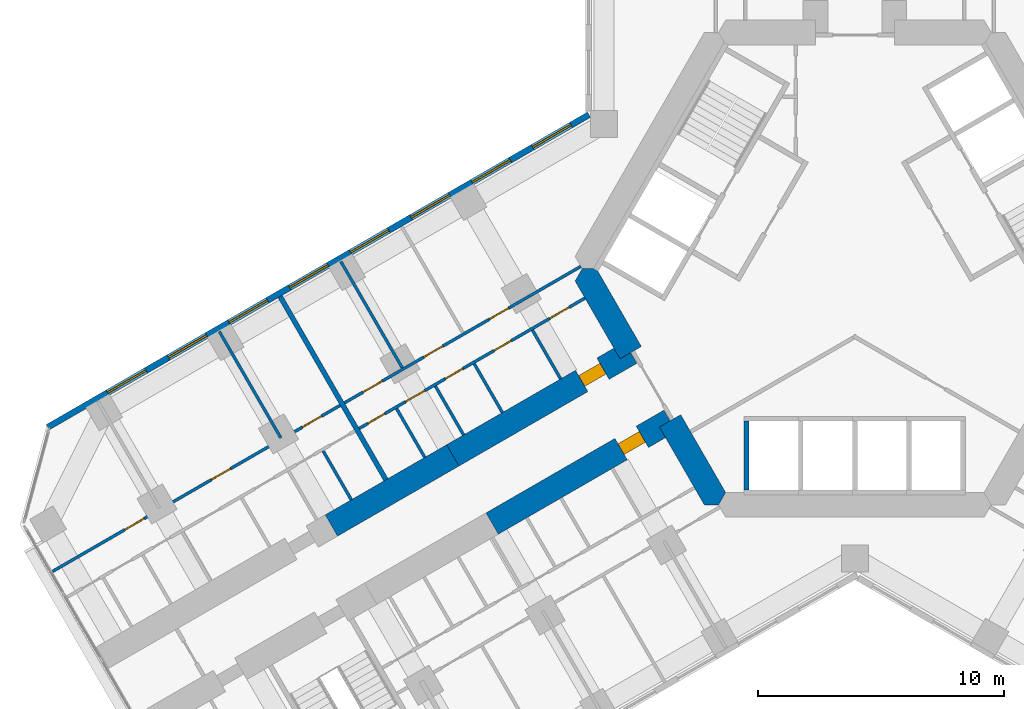
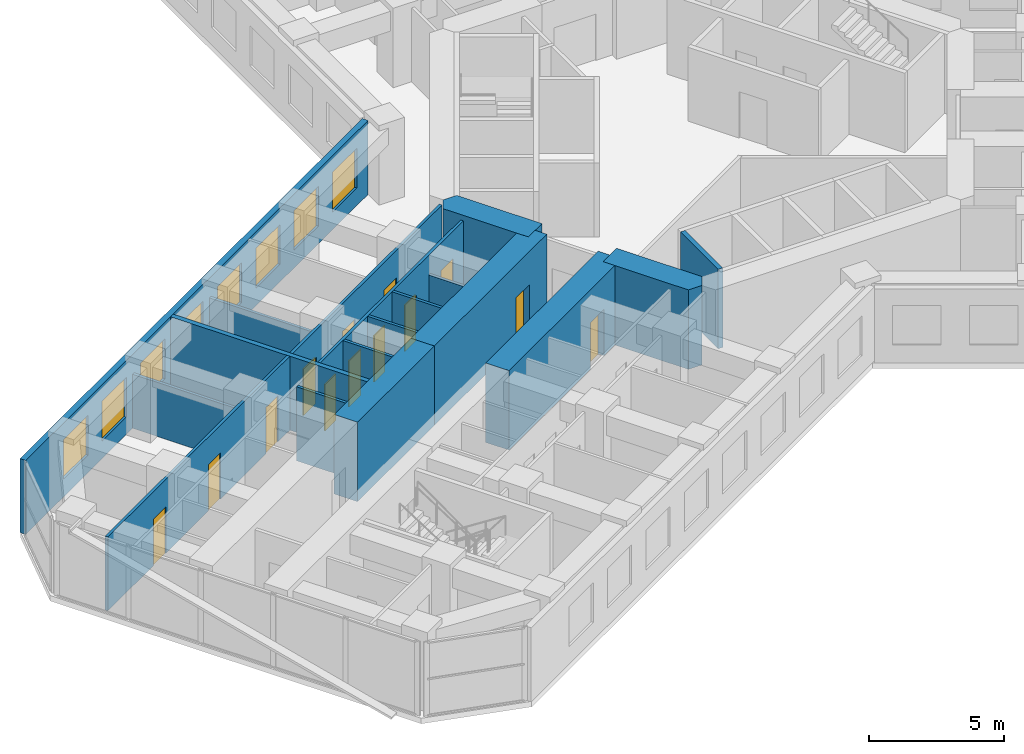
# One storey, part 10 of 18: 18 walls, 13 doors, 8 windows, 21 openings.
"""IFC4 building model written with IfcOpenShell, lengths in metres."""

from ifc_helpers import new_model, si_unit, direction, frame, frame_2d, origin, place, context, subcontext, project, spatial, polyline, rectangle, outline, extrude, material, layer, layer_set, type_object, element, fill, save


model = new_model("IFC4")

# Units and contexts
model_context = context("Model", 3, precision=1e-05, world=origin(), true_north=direction((0.0, 1.0)))
body_context = subcontext(model_context, "Body", "Model", "MODEL_VIEW")
ifc_project = project(units=[si_unit("LENGTHUNIT", "METRE"), si_unit("AREAUNIT", "SQUARE_METRE"), si_unit("VOLUMEUNIT", "CUBIC_METRE"), si_unit("PLANEANGLEUNIT", "RADIAN"), si_unit("MASSUNIT", "GRAM", prefix="KILO")], contexts=[model_context])

# Site, building, storey
site_placement = place(None, origin())
site = spatial("IfcSite", under=ifc_project, at=site_placement, CompositionType="ELEMENT")
building_placement = place(site_placement, origin())
building = spatial("IfcBuilding", under=site, at=building_placement, Name="Kosmar Iwan School Tower", CompositionType="ELEMENT")
storey_placement = place(building_placement, frame((0.0, 0.0, 25.199951171875)))
storey = spatial("IfcBuildingStorey", under=building, at=storey_placement, Name="L05", CompositionType="ELEMENT", Elevation=25.199951171875)

# Walls
ifc_material_1 = material(Name="Concrete C50/60", Category="concrete")
ifc_layer_1 = layer(ifc_material_1, 1.0)
ifc_layer_set_1 = layer_set([ifc_layer_1], Name="Core wall 1000")
wall_type_1 = type_object("IfcWallType", Name="Core wall 1000", PredefinedType="SHEAR", material=ifc_layer_set_1)
wall_1_placement = place(storey_placement, origin())
element("IfcWall", 1, at=wall_1_placement, inside=storey, type_object=wall_type_1, Name="Core wall F210a", PredefinedType="SHEAR", context=body_context, shape_type="SweptSolid", body=[
    extrude(outline(polyline([(-9.546875, -3.664306640625), (-8.680908203125, -3.164306640625), (-10.5078125, 0.0), (-11.085205078125, 0.0), (-11.373779296875, -0.5), (-9.546875, -3.664306640625)])), origin(), (0.0, 0.0, 1.0), 3.60009765625),
])
wall_2_placement = place(storey_placement, origin())
element("IfcWall", 2, at=wall_2_placement, inside=storey, type_object=wall_type_1, Name="Core wall F210b", PredefinedType="SHEAR", context=body_context, shape_type="SweptSolid", body=[
    extrude(outline(polyline([(-6.119873046875, -9.60009765625), (-5.54248046875, -9.60009765625), (-5.25390625, -9.10009765625), (-7.080810546875, -5.935546875), (-7.94677734375, -6.435546875), (-6.119873046875, -9.60009765625)])), origin(), (0.0, 0.0, 1.0), 3.60009765625),
])

# Wall, opening, door
ifc_material_2 = material(Name="Concrete C50/60", Category="concrete")
ifc_layer_2 = layer(ifc_material_2, 1.0)
ifc_layer_set_2 = layer_set([ifc_layer_2], Name="Corridor buttress wall 1000")
wall_type_2 = type_object("IfcWallType", Name="Corridor buttress wall 1000", PredefinedType="SHEAR", material=ifc_layer_set_2)
wall_3_placement = place(storey_placement, frame((-7.513916015625, -6.185546875, 0.0), z_axis=(0.0, 0.0, 1.0), x_axis=(-0.866019549707, -0.500010139422, 0.0)))
wall_3 = element("IfcWall", 3, at=wall_3_placement, inside=storey, type_object=wall_type_2, Name="Corridor wall BL", PredefinedType="SHEAR", context=body_context, shape_type="SweptSolid", body=[
    extrude(rectangle(XDim=8.349853515625, YDim=1.0, at=frame_2d((4.1748046875, 0.0))), origin(), (0.0, 0.0, 1.0), 3.60009765625),
])
opening_1_placement = place(wall_3_placement, frame((1.300048828125, 0.0, 0.0)))
opening_1 = element("IfcOpeningElement", 4, at=opening_1_placement, cuts=wall_3, Name="Opening D1", PredefinedType="OPENING", context=body_context, shape_type="SweptSolid", body=[
    extrude(rectangle(XDim=1.0, YDim=2.10009765625, at=frame_2d((0.5, 1.050048828125))), frame((0.0, 0.511962890625, 0.0), z_axis=(0.0, -1.0, 0.0), x_axis=(1.0, 0.0, 0.0)), (0.0, 0.0, 1.0), 1.02392578125),
])
ifc_material_3 = material(Name="Timber fire door in steel frame", Category="steel")
door_type_1 = type_object("IfcDoorType", Name="Flat entrance door 1000x2100", OperationType="SINGLE_SWING_LEFT", PredefinedType="DOOR", material=ifc_material_3)
door_1_placement = place(opening_1_placement, origin())
door_1 = element("IfcDoor", 5, at=door_1_placement, inside=storey, type_object=door_type_1, Name="Flat L05-BL1 entrance door", OperationType="SINGLE_SWING_RIGHT", OverallHeight=2.10009765625, OverallWidth=1.0, PredefinedType="DOOR", context=body_context, shape_type="SweptSolid", body=[
    extrude(rectangle(XDim=1.0, YDim=2.10009765625, at=frame_2d((0.5, 1.050048828125))), frame((0.0, 0.25, 0.0), z_axis=(0.0, -1.0, 0.0), x_axis=(1.0, 0.0, 0.0)), (0.0, 0.0, 1.0), 0.5),
])
fill(opening_1, door_1)

wall_4_placement = place(storey_placement, frame((-9.11376953125, -3.414306640625, 0.0), z_axis=(0.0, 0.0, 1.0), x_axis=(-0.866026859388, -0.499997478812, 0.0)))
wall_4 = element("IfcWall", 6, at=wall_4_placement, inside=storey, type_object=wall_type_2, Name="Corridor wall BR", PredefinedType="SHEAR", context=body_context, shape_type="SweptSolid", body=[
    extrude(rectangle(XDim=8.35009765625, YDim=1.0, at=frame_2d((4.175048828125, 0.0))), origin(), (0.0, 0.0, 1.0), 3.60009765625),
])
opening_2_placement = place(wall_4_placement, frame((1.300048828125, 0.0, 0.0)))
opening_2 = element("IfcOpeningElement", 7, at=opening_2_placement, cuts=wall_4, Name="Opening D1", PredefinedType="OPENING", context=body_context, shape_type="SweptSolid", body=[
    extrude(rectangle(XDim=1.0, YDim=2.10009765625, at=frame_2d((0.5, 1.050048828125))), frame((0.0, 0.511962890625, 0.0), z_axis=(0.0, -1.0, 0.0), x_axis=(1.0, 0.0, 0.0)), (0.0, 0.0, 1.0), 1.02392578125),
])
door_2_placement = place(opening_2_placement, origin())
door_2 = element("IfcDoor", 8, at=door_2_placement, inside=storey, type_object=door_type_1, Name="Flat L05-BR1 entrance door", OperationType="SINGLE_SWING_LEFT", OverallHeight=2.10009765625, OverallWidth=1.0, PredefinedType="DOOR", context=body_context, shape_type="SweptSolid", body=[
    extrude(rectangle(XDim=1.0, YDim=2.10009765625, at=frame_2d((0.5, 1.050048828125))), frame((0.0, 0.25, 0.0), z_axis=(0.0, -1.0, 0.0), x_axis=(1.0, 0.0, 0.0)), (0.0, 0.0, 1.0), 0.5),
])
fill(opening_2, door_2)

# Wall
wall_5_placement = place(storey_placement, frame((-16.34521484375, -7.58935546875, 0.0), z_axis=(0.0, 0.0, 1.0), x_axis=(-0.866015111908, -0.50001782563, 0.0)))
element("IfcWall", 9, at=wall_5_placement, inside=storey, type_object=wall_type_2, Name="Corridor wall BR bay 2", PredefinedType="SHEAR", context=body_context, shape_type="SweptSolid", body=[
    extrude(rectangle(XDim=5.699951171875, YDim=1.0, at=frame_2d((2.85009765625, 0.0))), origin(), (0.0, 0.0, 1.0), 3.60009765625),
])

# Wall, openings, doors
ifc_material_4 = material(Name="Gypsum board on steel studs", Category="steel")
ifc_layer_3 = layer(ifc_material_4, 0.1201171875)
ifc_layer_set_3 = layer_set([ifc_layer_3], Name="Dwelling partition 120")
wall_type_3 = type_object("IfcWallType", Name="Dwelling partition 120", PredefinedType="PARTITIONING", material=ifc_layer_set_3)
wall_6_placement = place(storey_placement, frame((-10.971923828125, -1.1962890625, 0.0), z_axis=(0.0, 0.0, 1.0), x_axis=(-0.866034853001, -0.49998363312, 0.0)))
wall_6 = element("IfcWall", 10, at=wall_6_placement, inside=storey, type_object=wall_type_3, Name="Partition L05-BR1-W1", PredefinedType="PARTITIONING", context=body_context, shape_type="SweptSolid", body=[
    extrude(rectangle(XDim=10.599853515625, YDim=0.1201171875, at=frame_2d((5.2998046875, 0.0))), origin(), (0.0, 0.0, 1.0), 3.35009765625),
])
opening_3_placement = place(wall_6_placement, frame((0.75, 0.0, 0.0)))
opening_3 = element("IfcOpeningElement", 11, at=opening_3_placement, cuts=wall_6, Name="Opening D2", PredefinedType="OPENING", context=body_context, shape_type="SweptSolid", body=[
    extrude(rectangle(XDim=0.89990234375, YDim=2.10009765625, at=frame_2d((0.449951171875, 1.050048828125))), frame((0.0, 0.072021484375, 0.0), z_axis=(0.0, -1.0, 0.0), x_axis=(1.0, 0.0, 0.0)), (0.0, 0.0, 1.0), 0.14404296875),
])
opening_4_placement = place(wall_6_placement, frame((3.466796875, 0.0, 0.0)))
opening_4 = element("IfcOpeningElement", 12, at=opening_4_placement, cuts=wall_6, Name="Opening D3", PredefinedType="OPENING", context=body_context, shape_type="SweptSolid", body=[
    extrude(rectangle(XDim=0.800048828125, YDim=2.10009765625, at=frame_2d((0.39990234375, 1.050048828125))), frame((0.0, 0.072021484375, 0.0), z_axis=(0.0, -1.0, 0.0), x_axis=(1.0, 0.0, 0.0)), (0.0, 0.0, 1.0), 0.14404296875),
])
opening_5_placement = place(wall_6_placement, frame((5.744384765625, 0.0, 0.0)))
opening_5 = element("IfcOpeningElement", 13, at=opening_5_placement, cuts=wall_6, Name="Opening D3", PredefinedType="OPENING", context=body_context, shape_type="SweptSolid", body=[
    extrude(rectangle(XDim=0.800048828125, YDim=2.10009765625, at=frame_2d((0.39990234375, 1.050048828125))), frame((0.0, 0.072021484375, 0.0), z_axis=(0.0, -1.0, 0.0), x_axis=(1.0, 0.0, 0.0)), (0.0, 0.0, 1.0), 0.14404296875),
])
opening_6_placement = place(wall_6_placement, frame((7.5166015625, 0.0, 0.0)))
opening_6 = element("IfcOpeningElement", 14, at=opening_6_placement, cuts=wall_6, Name="Opening D2", PredefinedType="OPENING", context=body_context, shape_type="SweptSolid", body=[
    extrude(rectangle(XDim=0.89990234375, YDim=2.10009765625, at=frame_2d((0.449951171875, 1.050048828125))), frame((0.0, 0.072021484375, 0.0), z_axis=(0.0, -1.0, 0.0), x_axis=(1.0, 0.0, 0.0)), (0.0, 0.0, 1.0), 0.14404296875),
])
opening_7_placement = place(wall_6_placement, frame((9.388916015625, 0.0, 0.0)))
opening_7 = element("IfcOpeningElement", 15, at=opening_7_placement, cuts=wall_6, Name="Opening D3", PredefinedType="OPENING", context=body_context, shape_type="SweptSolid", body=[
    extrude(rectangle(XDim=0.800048828125, YDim=2.10009765625, at=frame_2d((0.39990234375, 1.050048828125))), frame((0.0, 0.072021484375, 0.0), z_axis=(0.0, -1.0, 0.0), x_axis=(1.0, 0.0, 0.0)), (0.0, 0.0, 1.0), 0.14404296875),
])
ifc_material_5 = material(Name="Timber door in timber frame", Category="wood")
door_type_2 = type_object("IfcDoorType", Name="Internal door 900x2100", OperationType="SINGLE_SWING_LEFT", PredefinedType="DOOR", material=ifc_material_5)
door_3_placement = place(opening_3_placement, origin())
door_3 = element("IfcDoor", 16, at=door_3_placement, inside=storey, type_object=door_type_2, Name="Entrance hall door L05-BR1-S1", OperationType="SINGLE_SWING_RIGHT", OverallHeight=2.10009765625, OverallWidth=0.89990234375, PredefinedType="DOOR", context=body_context, shape_type="SweptSolid", body=[
    extrude(rectangle(XDim=0.89990234375, YDim=2.10009765625, at=frame_2d((0.449951171875, 1.050048828125))), frame((0.0, 0.02490234375, 0.0), z_axis=(0.0, -1.0, 0.0), x_axis=(1.0, 0.0, 0.0)), (0.0, 0.0, 1.0), 0.050048828125),
])
fill(opening_3, door_3)
door_4_placement = place(opening_6_placement, origin())
door_4 = element("IfcDoor", 17, at=door_4_placement, inside=storey, type_object=door_type_2, Name="Pantry door L05-BR1-S4", OperationType="SINGLE_SWING_LEFT", OverallHeight=2.10009765625, OverallWidth=0.89990234375, PredefinedType="DOOR", context=body_context, shape_type="SweptSolid", body=[
    extrude(rectangle(XDim=0.89990234375, YDim=2.10009765625, at=frame_2d((0.449951171875, 1.050048828125))), frame((0.0, 0.02490234375, 0.0), z_axis=(0.0, -1.0, 0.0), x_axis=(1.0, 0.0, 0.0)), (0.0, 0.0, 1.0), 0.050048828125),
])
fill(opening_6, door_4)
ifc_material_6 = material(Name="Timber door in timber frame", Category="wood")
door_type_3 = type_object("IfcDoorType", Name="Sanitary room door 800x2100", OperationType="SINGLE_SWING_LEFT", PredefinedType="DOOR", material=ifc_material_6)
door_5_placement = place(opening_4_placement, origin())
door_5 = element("IfcDoor", 18, at=door_5_placement, inside=storey, type_object=door_type_3, Name="Bathroom door L05-BR1-S2", OperationType="SINGLE_SWING_LEFT", OverallHeight=2.10009765625, OverallWidth=0.800048828125, PredefinedType="DOOR", context=body_context, shape_type="SweptSolid", body=[
    extrude(rectangle(XDim=0.800048828125, YDim=2.10009765625, at=frame_2d((0.39990234375, 1.050048828125))), frame((0.0, 0.02490234375, 0.0), z_axis=(0.0, -1.0, 0.0), x_axis=(1.0, 0.0, 0.0)), (0.0, 0.0, 1.0), 0.050048828125),
])
fill(opening_4, door_5)
door_6_placement = place(opening_5_placement, origin())
door_6 = element("IfcDoor", 19, at=door_6_placement, inside=storey, type_object=door_type_3, Name="Shower room door L05-BR1-S3", OperationType="SINGLE_SWING_RIGHT", OverallHeight=2.10009765625, OverallWidth=0.800048828125, PredefinedType="DOOR", context=body_context, shape_type="SweptSolid", body=[
    extrude(rectangle(XDim=0.800048828125, YDim=2.10009765625, at=frame_2d((0.39990234375, 1.050048828125))), frame((0.0, 0.02490234375, 0.0), z_axis=(0.0, -1.0, 0.0), x_axis=(1.0, 0.0, 0.0)), (0.0, 0.0, 1.0), 0.050048828125),
])
fill(opening_5, door_6)
door_7_placement = place(opening_7_placement, origin())
door_7 = element("IfcDoor", 20, at=door_7_placement, inside=storey, type_object=door_type_3, Name="WC door L05-BR1-S5", OperationType="SINGLE_SWING_RIGHT", OverallHeight=2.10009765625, OverallWidth=0.800048828125, PredefinedType="DOOR", context=body_context, shape_type="SweptSolid", body=[
    extrude(rectangle(XDim=0.800048828125, YDim=2.10009765625, at=frame_2d((0.39990234375, 1.050048828125))), frame((0.0, 0.02490234375, 0.0), z_axis=(0.0, -1.0, 0.0), x_axis=(1.0, 0.0, 0.0)), (0.0, 0.0, 1.0), 0.050048828125),
])
fill(opening_7, door_7)

wall_7_placement = place(storey_placement, frame((-11.138916015625, 0.093017578125, 0.0), z_axis=(0.0, 0.0, 1.0), x_axis=(-0.866021494144, -0.500006771635, 0.0)))
wall_7 = element("IfcWall", 21, at=wall_7_placement, inside=storey, type_object=wall_type_3, Name="Partition L05-BR1-W2", PredefinedType="PARTITIONING", context=body_context, shape_type="SweptSolid", body=[
    extrude(rectangle(XDim=11.099853515625, YDim=0.1201171875, at=frame_2d((5.5498046875, 0.0))), origin(), (0.0, 0.0, 1.0), 3.35009765625),
])
opening_8_placement = place(wall_7_placement, frame((3.39990234375, 0.0, 0.0)))
opening_8 = element("IfcOpeningElement", 22, at=opening_8_placement, cuts=wall_7, Name="Opening D2", PredefinedType="OPENING", context=body_context, shape_type="SweptSolid", body=[
    extrude(rectangle(XDim=0.89990234375, YDim=2.10009765625, at=frame_2d((0.449951171875, 1.050048828125))), frame((0.0, 0.072021484375, 0.0), z_axis=(0.0, -1.0, 0.0), x_axis=(1.0, 0.0, 0.0)), (0.0, 0.0, 1.0), 0.14404296875),
])
opening_9_placement = place(wall_7_placement, frame((6.47509765625, 0.0, 0.0)))
opening_9 = element("IfcOpeningElement", 23, at=opening_9_placement, cuts=wall_7, Name="Opening D2", PredefinedType="OPENING", context=body_context, shape_type="SweptSolid", body=[
    extrude(rectangle(XDim=0.89990234375, YDim=2.10009765625, at=frame_2d((0.449951171875, 1.050048828125))), frame((0.0, 0.072021484375, 0.0), z_axis=(0.0, -1.0, 0.0), x_axis=(1.0, 0.0, 0.0)), (0.0, 0.0, 1.0), 0.14404296875),
])
opening_10_placement = place(wall_7_placement, frame((9.324951171875, 0.0, 0.0)))
opening_10 = element("IfcOpeningElement", 24, at=opening_10_placement, cuts=wall_7, Name="Opening D2", PredefinedType="OPENING", context=body_context, shape_type="SweptSolid", body=[
    extrude(rectangle(XDim=0.89990234375, YDim=2.10009765625, at=frame_2d((0.449951171875, 1.050048828125))), frame((0.0, 0.072021484375, 0.0), z_axis=(0.0, -1.0, 0.0), x_axis=(1.0, 0.0, 0.0)), (0.0, 0.0, 1.0), 0.14404296875),
])
door_8_placement = place(opening_8_placement, origin())
door_8 = element("IfcDoor", 25, at=door_8_placement, inside=storey, type_object=door_type_2, Name="Living room and kitchen door L05-BR1-F1", OperationType="SINGLE_SWING_LEFT", OverallHeight=2.10009765625, OverallWidth=0.89990234375, PredefinedType="DOOR", context=body_context, shape_type="SweptSolid", body=[
    extrude(rectangle(XDim=0.89990234375, YDim=2.10009765625, at=frame_2d((0.449951171875, 1.050048828125))), frame((0.0, 0.02490234375, 0.0), z_axis=(0.0, -1.0, 0.0), x_axis=(1.0, 0.0, 0.0)), (0.0, 0.0, 1.0), 0.050048828125),
])
fill(opening_8, door_8)
door_9_placement = place(opening_9_placement, origin())
door_9 = element("IfcDoor", 26, at=door_9_placement, inside=storey, type_object=door_type_2, Name="Bedroom 1 door L05-BR1-F2", OperationType="SINGLE_SWING_RIGHT", OverallHeight=2.10009765625, OverallWidth=0.89990234375, PredefinedType="DOOR", context=body_context, shape_type="SweptSolid", body=[
    extrude(rectangle(XDim=0.89990234375, YDim=2.10009765625, at=frame_2d((0.449951171875, 1.050048828125))), frame((0.0, 0.02490234375, 0.0), z_axis=(0.0, -1.0, 0.0), x_axis=(1.0, 0.0, 0.0)), (0.0, 0.0, 1.0), 0.050048828125),
])
fill(opening_9, door_9)
door_10_placement = place(opening_10_placement, origin())
door_10 = element("IfcDoor", 27, at=door_10_placement, inside=storey, type_object=door_type_2, Name="Bedroom 2 door L05-BR1-F3", OperationType="SINGLE_SWING_RIGHT", OverallHeight=2.10009765625, OverallWidth=0.89990234375, PredefinedType="DOOR", context=body_context, shape_type="SweptSolid", body=[
    extrude(rectangle(XDim=0.89990234375, YDim=2.10009765625, at=frame_2d((0.449951171875, 1.050048828125))), frame((0.0, 0.02490234375, 0.0), z_axis=(0.0, -1.0, 0.0), x_axis=(1.0, 0.0, 0.0)), (0.0, 0.0, 1.0), 0.050048828125),
])
fill(opening_10, door_10)

# Walls
wall_8_placement = place(storey_placement, frame((-18.400146484375, -4.030029296875, 0.0), z_axis=(0.0, 0.0, 1.0), x_axis=(-0.500011847778, 0.866018563358, 0.0)))
element("IfcWall", 28, at=wall_8_placement, inside=storey, type_object=wall_type_3, Name="Partition L05-BR1-X2", PredefinedType="PARTITIONING", context=body_context, shape_type="SweptSolid", body=[
    extrude(rectangle(XDim=4.990234375, YDim=0.1201171875, at=frame_2d((2.4951171875, 0.0))), origin(), (0.0, 0.0, 1.0), 2.449951171875),
])
wall_9_placement = place(storey_placement, frame((-11.9619140625, -4.4814453125, 0.0), z_axis=(0.0, 0.0, 1.0), x_axis=(-0.499968531483, 0.866043571379, 0.0)))
element("IfcWall", 29, at=wall_9_placement, inside=storey, type_object=wall_type_3, Name="Partition L05-BR1-Y1", PredefinedType="PARTITIONING", context=body_context, shape_type="SweptSolid", body=[
    extrude(rectangle(XDim=2.290283203125, YDim=0.1201171875, at=frame_2d((1.14501953125, 0.0))), origin(), (0.0, 0.0, 1.0), 2.449951171875),
])
for number, where, z_axis, x_axis, name in (
    (30, (-14.3291015625, -5.847900390625, 0.0), (0.0, 0.0, 1.0), (-0.500014693593, 0.866016920268, 0.0), "Partition L05-BR1-Y2"),
    (31, (-15.9072265625, -6.759033203125, 0.0), (0.0, 0.0, 1.0), (-0.500014693593, 0.866016920268, 0.0), "Partition L05-BR1-Y3"),
):
    element("IfcWall", number, at=place(storey_placement, frame(where, z_axis=z_axis, x_axis=x_axis)), inside=storey, type_object=wall_type_3, Name=name, PredefinedType="PARTITIONING", context=body_context, shape_type="SweptSolid", body=[
        extrude(rectangle(XDim=2.2900390625, YDim=0.1201171875, at=frame_2d((1.14501953125, 0.0))), origin(), (0.0, 0.0, 1.0), 3.35009765625),
    ])
wall_10_placement = place(storey_placement, frame((-17.4853515625, -7.670166015625, 0.0), z_axis=(0.0, 0.0, 1.0), x_axis=(-0.49993472906, 0.8660630847, 0.0)))
element("IfcWall", 32, at=wall_10_placement, inside=storey, type_object=wall_type_3, Name="Partition L05-BR1-Y4", PredefinedType="PARTITIONING", context=body_context, shape_type="SweptSolid", body=[
    extrude(rectangle(XDim=2.289794921875, YDim=0.1201171875, at=frame_2d((1.14501953125, 0.0))), origin(), (0.0, 0.0, 1.0), 3.35009765625),
])

# Wall, openings, doors
wall_11_placement = place(storey_placement, frame((-20.9248046875, -5.556884765625, 0.0), z_axis=(0.0, 0.0, 1.0), x_axis=(-0.866028025956, -0.499995458239, 0.0)))
wall_11 = element("IfcWall", 33, at=wall_11_placement, inside=storey, type_object=wall_type_3, Name="Partition L05-BR2-W2", PredefinedType="PARTITIONING", context=body_context, shape_type="SweptSolid", body=[
    extrude(rectangle(XDim=13.495361328125, YDim=0.1201171875, at=frame_2d((6.74755859375, 0.0))), origin(), (0.0, 0.0, 1.0), 3.35009765625),
])
opening_11_placement = place(wall_11_placement, frame((0.875, 0.0, 0.0)))
opening_11 = element("IfcOpeningElement", 34, at=opening_11_placement, cuts=wall_11, Name="Opening D2", PredefinedType="OPENING", context=body_context, shape_type="SweptSolid", body=[
    extrude(rectangle(XDim=0.89990234375, YDim=2.10009765625, at=frame_2d((0.449951171875, 1.050048828125))), frame((0.0, 0.072021484375, 0.0), z_axis=(0.0, -1.0, 0.0), x_axis=(1.0, 0.0, 0.0)), (0.0, 0.0, 1.0), 0.14404296875),
])
opening_12_placement = place(wall_11_placement, frame((5.14990234375, 0.0, 0.0)))
opening_12 = element("IfcOpeningElement", 35, at=opening_12_placement, cuts=wall_11, Name="Opening D2", PredefinedType="OPENING", context=body_context, shape_type="SweptSolid", body=[
    extrude(rectangle(XDim=0.89990234375, YDim=2.10009765625, at=frame_2d((0.449951171875, 1.050048828125))), frame((0.0, 0.072021484375, 0.0), z_axis=(0.0, -1.0, 0.0), x_axis=(1.0, 0.0, 0.0)), (0.0, 0.0, 1.0), 0.14404296875),
])
opening_13_placement = place(wall_11_placement, frame((9.199951171875, 0.0, 0.0)))
opening_13 = element("IfcOpeningElement", 36, at=opening_13_placement, cuts=wall_11, Name="Opening D2", PredefinedType="OPENING", context=body_context, shape_type="SweptSolid", body=[
    extrude(rectangle(XDim=0.89990234375, YDim=2.10009765625, at=frame_2d((0.449951171875, 1.050048828125))), frame((0.0, 0.072021484375, 0.0), z_axis=(0.0, -1.0, 0.0), x_axis=(1.0, 0.0, 0.0)), (0.0, 0.0, 1.0), 0.14404296875),
])
door_11_placement = place(opening_11_placement, origin())
door_11 = element("IfcDoor", 37, at=door_11_placement, inside=storey, type_object=door_type_2, Name="Bedroom 1 door L05-BR2-F1", OperationType="SINGLE_SWING_LEFT", OverallHeight=2.10009765625, OverallWidth=0.89990234375, PredefinedType="DOOR", context=body_context, shape_type="SweptSolid", body=[
    extrude(rectangle(XDim=0.89990234375, YDim=2.10009765625, at=frame_2d((0.449951171875, 1.050048828125))), frame((0.0, 0.02490234375, 0.0), z_axis=(0.0, -1.0, 0.0), x_axis=(1.0, 0.0, 0.0)), (0.0, 0.0, 1.0), 0.050048828125),
])
fill(opening_11, door_11)
door_12_placement = place(opening_12_placement, origin())
door_12 = element("IfcDoor", 38, at=door_12_placement, inside=storey, type_object=door_type_2, Name="Living room and kitchen door L05-BR2-F2", OperationType="SINGLE_SWING_LEFT", OverallHeight=2.10009765625, OverallWidth=0.89990234375, PredefinedType="DOOR", context=body_context, shape_type="SweptSolid", body=[
    extrude(rectangle(XDim=0.89990234375, YDim=2.10009765625, at=frame_2d((0.449951171875, 1.050048828125))), frame((0.0, 0.02490234375, 0.0), z_axis=(0.0, -1.0, 0.0), x_axis=(1.0, 0.0, 0.0)), (0.0, 0.0, 1.0), 0.050048828125),
])
fill(opening_12, door_12)
door_13_placement = place(opening_13_placement, origin())
door_13 = element("IfcDoor", 39, at=door_13_placement, inside=storey, type_object=door_type_2, Name="Bedroom 2 door L05-BR2-F3", OperationType="SINGLE_SWING_RIGHT", OverallHeight=2.10009765625, OverallWidth=0.89990234375, PredefinedType="DOOR", context=body_context, shape_type="SweptSolid", body=[
    extrude(rectangle(XDim=0.89990234375, YDim=2.10009765625, at=frame_2d((0.449951171875, 1.050048828125))), frame((0.0, 0.02490234375, 0.0), z_axis=(0.0, -1.0, 0.0), x_axis=(1.0, 0.0, 0.0)), (0.0, 0.0, 1.0), 0.050048828125),
])
fill(opening_13, door_13)

# Walls
wall_12_placement = place(storey_placement, frame((-23.33642578125, -6.8798828125, 0.0), z_axis=(0.0, 0.0, 1.0), x_axis=(-0.500033033937, 0.866006330792, 0.0)))
element("IfcWall", 40, at=wall_12_placement, inside=storey, type_object=wall_type_3, Name="Partition L05-BR2-X1", PredefinedType="PARTITIONING", context=body_context, shape_type="SweptSolid", body=[
    extrude(rectangle(XDim=4.989990234375, YDim=0.1201171875, at=frame_2d((2.4951171875, 0.0))), origin(), (0.0, 0.0, 1.0), 2.449951171875),
])
wall_13_placement = place(storey_placement, frame((-20.470703125, -9.393798828125, 0.0), z_axis=(0.0, 0.0, 1.0), x_axis=(-0.500014693593, 0.866016920268, 0.0)))
element("IfcWall", 41, at=wall_13_placement, inside=storey, type_object=wall_type_3, Name="Partition L05-BR2-Y1", PredefinedType="PARTITIONING", context=body_context, shape_type="SweptSolid", body=[
    extrude(rectangle(XDim=2.2900390625, YDim=0.1201171875, at=frame_2d((1.14501953125, 0.0))), origin(), (0.0, 0.0, 1.0), 3.35009765625),
])

# Wall, openings, windows
ifc_material_7 = material(Name="Black aluminium rainscreen on insulated framing", Category="aluminium")
ifc_layer_4 = layer(ifc_material_7, 0.25)
ifc_layer_set_4 = layer_set([ifc_layer_4], Name="External wall rainscreen 250")
wall_type_4 = type_object("IfcWallType", Name="External wall rainscreen 250", PredefinedType="SOLIDWALL", material=ifc_layer_set_4)
wall_14_placement = place(storey_placement, frame((-10.8125, 6.257080078125, 0.0), z_axis=(0.0, 0.0, 1.0), x_axis=(-0.86602648281, -0.499998131069, 0.0)))
wall_14 = element("IfcWall", 42, at=wall_14_placement, inside=storey, type_object=wall_type_4, Name="External wall BR L05", PredefinedType="SOLIDWALL", context=body_context, shape_type="SweptSolid", body=[
    extrude(rectangle(XDim=25.39990234375, YDim=0.25, at=frame_2d((12.699951171875, 0.0))), origin(), (0.0, 0.0, 1.0), 3.35009765625),
])
opening_14_placement = place(wall_14_placement, frame((0.839599609375, 0.0, 0.800048828125)))
opening_14 = element("IfcOpeningElement", 43, at=opening_14_placement, cuts=wall_14, Name="Opening W1", PredefinedType="OPENING", context=body_context, shape_type="SweptSolid", body=[
    extrude(rectangle(XDim=1.800048828125, YDim=1.800048828125, at=frame_2d((0.89990234375, 0.89990234375))), frame((0.0, 0.136962890625, 0.0), z_axis=(0.0, -1.0, 0.0), x_axis=(1.0, 0.0, 0.0)), (0.0, 0.0, 1.0), 0.27392578125),
])
opening_15_placement = place(wall_14_placement, frame((3.689697265625, 0.0, 0.800048828125)))
opening_15 = element("IfcOpeningElement", 44, at=opening_15_placement, cuts=wall_14, Name="Opening W1", PredefinedType="OPENING", context=body_context, shape_type="SweptSolid", body=[
    extrude(rectangle(XDim=1.800048828125, YDim=1.800048828125, at=frame_2d((0.89990234375, 0.89990234375))), frame((0.0, 0.136962890625, 0.0), z_axis=(0.0, -1.0, 0.0), x_axis=(1.0, 0.0, 0.0)), (0.0, 0.0, 1.0), 0.27392578125),
])
opening_16_placement = place(wall_14_placement, frame((6.53955078125, 0.0, 0.800048828125)))
opening_16 = element("IfcOpeningElement", 45, at=opening_16_placement, cuts=wall_14, Name="Opening W1", PredefinedType="OPENING", context=body_context, shape_type="SweptSolid", body=[
    extrude(rectangle(XDim=1.800048828125, YDim=1.800048828125, at=frame_2d((0.89990234375, 0.89990234375))), frame((0.0, 0.136962890625, 0.0), z_axis=(0.0, -1.0, 0.0), x_axis=(1.0, 0.0, 0.0)), (0.0, 0.0, 1.0), 0.27392578125),
])
opening_17_placement = place(wall_14_placement, frame((9.3896484375, 0.0, 0.800048828125)))
opening_17 = element("IfcOpeningElement", 46, at=opening_17_placement, cuts=wall_14, Name="Opening W1", PredefinedType="OPENING", context=body_context, shape_type="SweptSolid", body=[
    extrude(rectangle(XDim=1.800048828125, YDim=1.800048828125, at=frame_2d((0.89990234375, 0.89990234375))), frame((0.0, 0.136962890625, 0.0), z_axis=(0.0, -1.0, 0.0), x_axis=(1.0, 0.0, 0.0)), (0.0, 0.0, 1.0), 0.27392578125),
])
opening_18_placement = place(wall_14_placement, frame((12.23974609375, 0.0, 0.800048828125)))
opening_18 = element("IfcOpeningElement", 47, at=opening_18_placement, cuts=wall_14, Name="Opening W1", PredefinedType="OPENING", context=body_context, shape_type="SweptSolid", body=[
    extrude(rectangle(XDim=1.800048828125, YDim=1.800048828125, at=frame_2d((0.89990234375, 0.89990234375))), frame((0.0, 0.136962890625, 0.0), z_axis=(0.0, -1.0, 0.0), x_axis=(1.0, 0.0, 0.0)), (0.0, 0.0, 1.0), 0.27392578125),
])
opening_19_placement = place(wall_14_placement, frame((15.089599609375, 0.0, 0.800048828125)))
opening_19 = element("IfcOpeningElement", 48, at=opening_19_placement, cuts=wall_14, Name="Opening W1", PredefinedType="OPENING", context=body_context, shape_type="SweptSolid", body=[
    extrude(rectangle(XDim=1.800048828125, YDim=1.800048828125, at=frame_2d((0.89990234375, 0.89990234375))), frame((0.0, 0.136962890625, 0.0), z_axis=(0.0, -1.0, 0.0), x_axis=(1.0, 0.0, 0.0)), (0.0, 0.0, 1.0), 0.27392578125),
])
opening_20_placement = place(wall_14_placement, frame((17.939697265625, 0.0, 0.800048828125)))
opening_20 = element("IfcOpeningElement", 49, at=opening_20_placement, cuts=wall_14, Name="Opening W1", PredefinedType="OPENING", context=body_context, shape_type="SweptSolid", body=[
    extrude(rectangle(XDim=1.800048828125, YDim=1.800048828125, at=frame_2d((0.89990234375, 0.89990234375))), frame((0.0, 0.136962890625, 0.0), z_axis=(0.0, -1.0, 0.0), x_axis=(1.0, 0.0, 0.0)), (0.0, 0.0, 1.0), 0.27392578125),
])
opening_21_placement = place(wall_14_placement, frame((20.78955078125, 0.0, 0.800048828125)))
opening_21 = element("IfcOpeningElement", 50, at=opening_21_placement, cuts=wall_14, Name="Opening W1", PredefinedType="OPENING", context=body_context, shape_type="SweptSolid", body=[
    extrude(rectangle(XDim=1.800048828125, YDim=1.800048828125, at=frame_2d((0.89990234375, 0.89990234375))), frame((0.0, 0.136962890625, 0.0), z_axis=(0.0, -1.0, 0.0), x_axis=(1.0, 0.0, 0.0)), (0.0, 0.0, 1.0), 0.27392578125),
])
ifc_material_8 = material(Name="Black aluminium frame with dark triple glazing", Category="aluminium")
window_type = type_object("IfcWindowType", Name="Window 1800x1800", PartitioningType="SINGLE_PANEL", PredefinedType="WINDOW", material=ifc_material_8)
window_1_placement = place(opening_14_placement, origin())
window_1 = element("IfcWindow", 51, at=window_1_placement, inside=storey, type_object=window_type, Name="Window BR L05 -1", OverallHeight=1.800048828125, OverallWidth=1.800048828125, PartitioningType="SINGLE_PANEL", PredefinedType="WINDOW", context=body_context, shape_type="SweptSolid", body=[
    extrude(rectangle(XDim=1.800048828125, YDim=1.800048828125, at=frame_2d((0.89990234375, 0.89990234375))), frame((0.0, 0.030029296875, 0.0), z_axis=(0.0, -1.0, 0.0), x_axis=(1.0, 0.0, 0.0)), (0.0, 0.0, 1.0), 0.06005859375),
])
fill(opening_14, window_1)
window_2_placement = place(opening_15_placement, origin())
window_2 = element("IfcWindow", 52, at=window_2_placement, inside=storey, type_object=window_type, Name="Window BR L05 0", OverallHeight=1.800048828125, OverallWidth=1.800048828125, PartitioningType="SINGLE_PANEL", PredefinedType="WINDOW", context=body_context, shape_type="SweptSolid", body=[
    extrude(rectangle(XDim=1.800048828125, YDim=1.800048828125, at=frame_2d((0.89990234375, 0.89990234375))), frame((0.0, 0.030029296875, 0.0), z_axis=(0.0, -1.0, 0.0), x_axis=(1.0, 0.0, 0.0)), (0.0, 0.0, 1.0), 0.06005859375),
])
fill(opening_15, window_2)
window_3_placement = place(opening_16_placement, origin())
window_3 = element("IfcWindow", 53, at=window_3_placement, inside=storey, type_object=window_type, Name="Window BR L05 1", OverallHeight=1.800048828125, OverallWidth=1.800048828125, PartitioningType="SINGLE_PANEL", PredefinedType="WINDOW", context=body_context, shape_type="SweptSolid", body=[
    extrude(rectangle(XDim=1.800048828125, YDim=1.800048828125, at=frame_2d((0.89990234375, 0.89990234375))), frame((0.0, 0.030029296875, 0.0), z_axis=(0.0, -1.0, 0.0), x_axis=(1.0, 0.0, 0.0)), (0.0, 0.0, 1.0), 0.06005859375),
])
fill(opening_16, window_3)
window_4_placement = place(opening_17_placement, origin())
window_4 = element("IfcWindow", 54, at=window_4_placement, inside=storey, type_object=window_type, Name="Window BR L05 2", OverallHeight=1.800048828125, OverallWidth=1.800048828125, PartitioningType="SINGLE_PANEL", PredefinedType="WINDOW", context=body_context, shape_type="SweptSolid", body=[
    extrude(rectangle(XDim=1.800048828125, YDim=1.800048828125, at=frame_2d((0.89990234375, 0.89990234375))), frame((0.0, 0.030029296875, 0.0), z_axis=(0.0, -1.0, 0.0), x_axis=(1.0, 0.0, 0.0)), (0.0, 0.0, 1.0), 0.06005859375),
])
fill(opening_17, window_4)
window_5_placement = place(opening_18_placement, origin())
window_5 = element("IfcWindow", 55, at=window_5_placement, inside=storey, type_object=window_type, Name="Window BR L05 3", OverallHeight=1.800048828125, OverallWidth=1.800048828125, PartitioningType="SINGLE_PANEL", PredefinedType="WINDOW", context=body_context, shape_type="SweptSolid", body=[
    extrude(rectangle(XDim=1.800048828125, YDim=1.800048828125, at=frame_2d((0.89990234375, 0.89990234375))), frame((0.0, 0.030029296875, 0.0), z_axis=(0.0, -1.0, 0.0), x_axis=(1.0, 0.0, 0.0)), (0.0, 0.0, 1.0), 0.06005859375),
])
fill(opening_18, window_5)
window_6_placement = place(opening_19_placement, origin())
window_6 = element("IfcWindow", 56, at=window_6_placement, inside=storey, type_object=window_type, Name="Window BR L05 4", OverallHeight=1.800048828125, OverallWidth=1.800048828125, PartitioningType="SINGLE_PANEL", PredefinedType="WINDOW", context=body_context, shape_type="SweptSolid", body=[
    extrude(rectangle(XDim=1.800048828125, YDim=1.800048828125, at=frame_2d((0.89990234375, 0.89990234375))), frame((0.0, 0.030029296875, 0.0), z_axis=(0.0, -1.0, 0.0), x_axis=(1.0, 0.0, 0.0)), (0.0, 0.0, 1.0), 0.06005859375),
])
fill(opening_19, window_6)
window_7_placement = place(opening_20_placement, origin())
window_7 = element("IfcWindow", 57, at=window_7_placement, inside=storey, type_object=window_type, Name="Window BR L05 5", OverallHeight=1.800048828125, OverallWidth=1.800048828125, PartitioningType="SINGLE_PANEL", PredefinedType="WINDOW", context=body_context, shape_type="SweptSolid", body=[
    extrude(rectangle(XDim=1.800048828125, YDim=1.800048828125, at=frame_2d((0.89990234375, 0.89990234375))), frame((0.0, 0.030029296875, 0.0), z_axis=(0.0, -1.0, 0.0), x_axis=(1.0, 0.0, 0.0)), (0.0, 0.0, 1.0), 0.06005859375),
])
fill(opening_20, window_7)
window_8_placement = place(opening_21_placement, origin())
window_8 = element("IfcWindow", 58, at=window_8_placement, inside=storey, type_object=window_type, Name="Window BR L05 6", OverallHeight=1.800048828125, OverallWidth=1.800048828125, PartitioningType="SINGLE_PANEL", PredefinedType="WINDOW", context=body_context, shape_type="SweptSolid", body=[
    extrude(rectangle(XDim=1.800048828125, YDim=1.800048828125, at=frame_2d((0.89990234375, 0.89990234375))), frame((0.0, 0.030029296875, 0.0), z_axis=(0.0, -1.0, 0.0), x_axis=(1.0, 0.0, 0.0)), (0.0, 0.0, 1.0), 0.06005859375),
])
fill(opening_21, window_8)

# Walls
ifc_material_9 = material(Name="Concrete C50/60", Category="concrete")
ifc_layer_5 = layer(ifc_material_9, 0.199951171875)
ifc_layer_set_5 = layer_set([ifc_layer_5], Name="Lift shaft wall 200")
wall_type_5 = type_object("IfcWallType", Name="Lift shaft wall 200", PredefinedType="SHEAR", material=ifc_layer_set_5)
wall_15_placement = place(storey_placement, frame((-4.39990234375, -6.199951171875, 0.0), z_axis=(0.0, 0.0, 1.0), x_axis=(0.0, -1.0, 0.0)))
element("IfcWall", 59, at=wall_15_placement, inside=storey, type_object=wall_type_5, Name="Lift shaft wall BC 0", PredefinedType="SHEAR", context=body_context, shape_type="SweptSolid", body=[
    extrude(rectangle(XDim=2.800048828125, YDim=0.199951171875, at=frame_2d((1.39990234375, 0.0))), origin(), (0.0, 0.0, 1.0), 3.60009765625),
])
ifc_material_10 = material(Name="Concrete block masonry", Category="masonry")
ifc_layer_6 = layer(ifc_material_10, 0.199951171875)
ifc_layer_set_6 = layer_set([ifc_layer_6], Name="Party wall 200")
wall_type_6 = type_object("IfcWallType", Name="Party wall 200", PredefinedType="PARTITIONING", material=ifc_layer_set_6)
wall_16_placement = place(storey_placement, frame((-19.063232421875, -8.581298828125, 0.0), z_axis=(0.0, 0.0, 1.0), x_axis=(-0.500007509209, 0.866021068297, 0.0)))
element("IfcWall", 60, at=wall_16_placement, inside=storey, type_object=wall_type_6, Name="Partition L05-BR2-PW", PredefinedType="PARTITIONING", context=body_context, shape_type="SweptSolid", body=[
    extrude(rectangle(XDim=8.599853515625, YDim=0.199951171875, at=frame_2d((4.2998046875, 0.0))), origin(), (0.0, 0.0, 1.0), 3.35009765625),
])

save(model, "model.ifc")
